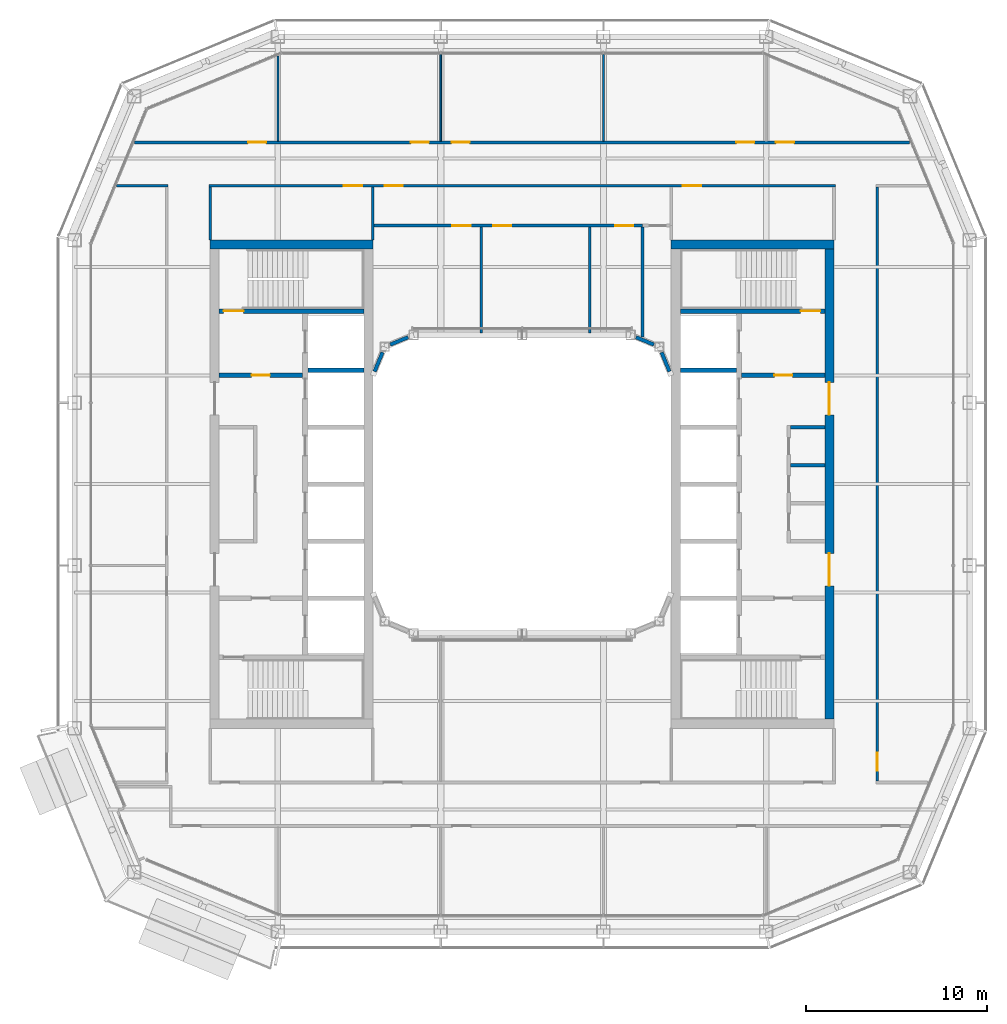
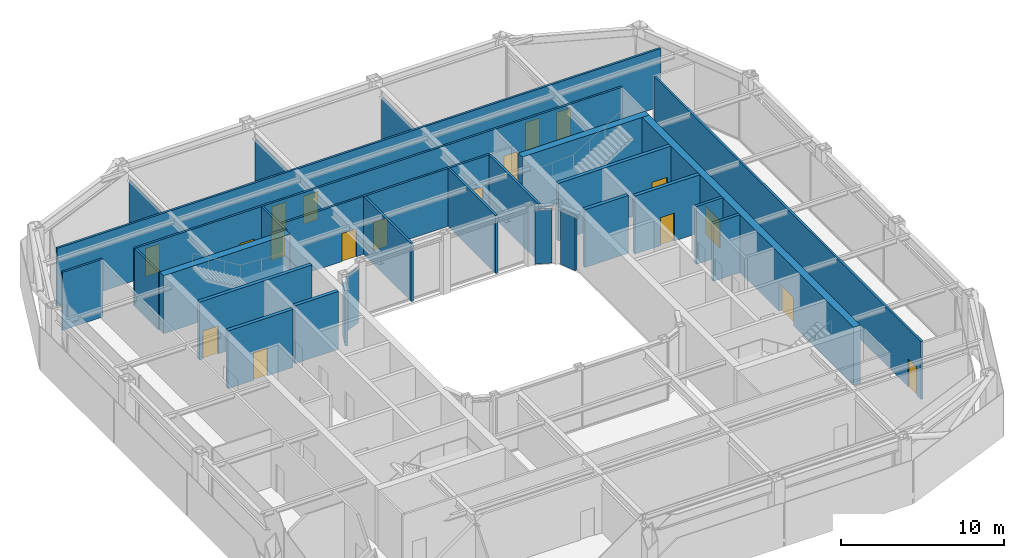
# One storey, part 12 of 20: 28 walls, 18 doors, 18 openings.
"""IFC4 building model written with IfcOpenShell, lengths in metres."""

from ifc_helpers import new_model, si_unit, direction, frame, frame_2d, origin, place, context, subcontext, project, spatial, rectangle, extrude, material, layer, layer_set, type_object, element, fill, save


model = new_model("IFC4")

# Units and contexts
model_context = context("Model", 3, precision=1e-05, world=origin(), true_north=direction((0.0, 1.0)))
body_context = subcontext(model_context, "Body", "Model", "MODEL_VIEW")
ifc_project = project(units=[si_unit("LENGTHUNIT", "METRE"), si_unit("AREAUNIT", "SQUARE_METRE"), si_unit("VOLUMEUNIT", "CUBIC_METRE"), si_unit("PLANEANGLEUNIT", "RADIAN"), si_unit("MASSUNIT", "GRAM", prefix="KILO")], contexts=[model_context])

# Site, building, storey
site_placement = place(None, origin())
site = spatial("IfcSite", under=ifc_project, at=site_placement, CompositionType="ELEMENT")
building_placement = place(site_placement, origin())
building = spatial("IfcBuilding", under=site, at=building_placement, Name="Siwar Civic Tower", CompositionType="ELEMENT")
storey_placement = place(building_placement, frame((0.0, 0.0, 316.699951171875)))
storey = spatial("IfcBuildingStorey", under=building, at=storey_placement, Name="L68", CompositionType="ELEMENT", Elevation=316.699951171875)

# Walls
ifc_material_1 = material(Name="Gypsum board on steel studs", Category="steel")
ifc_layer_1 = layer(ifc_material_1, 0.14990234375)
ifc_layer_set_1 = layer_set([ifc_layer_1], Name="Gypsum board on steel studs")
wall_type_1 = type_object("IfcWallType", Name="COMPARTMENT PARTITION 150 EI 60", PredefinedType="PARTITIONING", material=ifc_layer_set_1)
wall_1_placement = place(storey_placement, frame((6.659912109375, 8.126953125, 0.0), z_axis=(0.0, 0.0, 1.0), x_axis=(0.0, 1.0, 0.0)))
element("IfcWall", 1, at=wall_1_placement, inside=storey, type_object=wall_type_1, Name="L68/wall/P29", PredefinedType="PARTITIONING", context=body_context, shape_type="SweptSolid", body=[
    extrude(rectangle(XDim=6.09814453125, YDim=0.14990234375, at=frame_2d((3.049072265625, 0.0))), origin(), (0.0, 0.0, 1.0), 4.35009765625),
])
ifc_material_2 = material(Name="Gypsum board on steel studs", Category="steel")
ifc_layer_2 = layer(ifc_material_2, 0.199951171875)
ifc_layer_set_2 = layer_set([ifc_layer_2], Name="Gypsum board on steel studs")
wall_type_2 = type_object("IfcWallType", Name="CORE-PARTITION-200", PredefinedType="PARTITIONING", material=ifc_layer_set_2)
for number, where, z_axis, x_axis, name in (
    (2, (14.85009765625, 3.14990234375, 0.0), (0.0, 0.0, 1.0), (1.0, 0.0, 0.0), "Core partition E"),
    (3, (14.85009765625, 1.050048828125, 0.0), (0.0, 0.0, 1.0), (1.0, 0.0, 0.0), "Core partition E"),
):
    element("IfcWall", number, at=place(storey_placement, frame(where, z_axis=z_axis, x_axis=x_axis)), inside=storey, type_object=wall_type_2, Name=name, PredefinedType="PARTITIONING", context=body_context, shape_type="SweptSolid", body=[
        extrude(rectangle(XDim=1.89990234375, YDim=0.199951171875, at=frame_2d((0.949951171875, 0.0))), origin(), (0.0, 0.0, 1.0), 4.35009765625),
    ])

# Wall, opening, door
ifc_material_3 = material(Name="Concrete C60/75", Category="concrete")
ifc_layer_3 = layer(ifc_material_3, 0.25)
ifc_layer_set_3 = layer_set([ifc_layer_3], Name="Concrete C60/75")
wall_type_3 = type_object("IfcWallType", Name="CORE-WALL-RC250", PredefinedType="SHEAR", material=ifc_layer_set_3)
wall_2_placement = place(storey_placement, frame((-12.14990234375, 6.02490234375, 0.0), z_axis=(0.0, 0.0, 1.0), x_axis=(-1.0, 0.0, 0.0)))
wall_2 = element("IfcWall", 4, at=wall_2_placement, inside=storey, type_object=wall_type_3, Name="Core wall W", PredefinedType="SHEAR", context=body_context, shape_type="SweptSolid", body=[
    extrude(rectangle(XDim=4.60009765625, YDim=0.25, at=frame_2d((2.300048828125, 0.0))), origin(), (0.0, 0.0, 1.0), 4.35009765625),
])
opening_1_placement = place(wall_2_placement, frame((1.800048828125, 0.0, 0.0)))
opening_1 = element("IfcOpeningElement", 5, at=opening_1_placement, cuts=wall_2, Name="Opening L68-CW01", PredefinedType="OPENING", context=body_context, shape_type="SweptSolid", body=[
    extrude(rectangle(XDim=1.0, YDim=2.10009765625, at=frame_2d((0.5, 1.050048828125))), frame((0.0, 0.135009765625, 0.0), z_axis=(0.0, -1.0, 0.0), x_axis=(1.0, 0.0, 0.0)), (0.0, 0.0, 1.0), 0.27001953125),
])
ifc_material_4 = material(Name="Steel door leaf", Category="steel")
door_type_1 = type_object("IfcDoorType", Name="CORE-DOOR-FD30S", OperationType="SINGLE_SWING_LEFT", PredefinedType="DOOR", material=ifc_material_4)
door_1_placement = place(opening_1_placement, origin())
door_1 = element("IfcDoor", 6, at=door_1_placement, inside=storey, type_object=door_type_1, Name="Firefighting lobby door L68-CW01", OperationType="SINGLE_SWING_LEFT", OverallHeight=2.10009765625, OverallWidth=1.0, PredefinedType="DOOR", context=body_context, shape_type="SweptSolid", body=[
    extrude(rectangle(XDim=1.0, YDim=2.10009765625, at=frame_2d((0.5, 1.050048828125))), frame((0.0, 0.02490234375, 0.0), z_axis=(0.0, -1.0, 0.0), x_axis=(1.0, 0.0, 0.0)), (0.0, 0.0, 1.0), 0.050048828125),
])
fill(opening_1, door_1)

# Wall
wall_3_placement = place(storey_placement, frame((-8.75, 6.300048828125, 0.0), z_axis=(0.0, 0.0, 1.0), x_axis=(-1.0, 0.0, 0.0)))
element("IfcWall", 7, at=wall_3_placement, inside=storey, type_object=wall_type_3, Name="Core wall W", PredefinedType="SHEAR", context=body_context, shape_type="SweptSolid", body=[
    extrude(rectangle(XDim=3.10009765625, YDim=0.25, at=frame_2d((1.550048828125, 0.0))), origin(), (0.0, 0.0, 1.0), 4.35009765625),
])

# Wall, opening, door
wall_4_placement = place(storey_placement, frame((-8.75, 9.574951171875, 0.0), z_axis=(0.0, 0.0, 1.0), x_axis=(-1.0, 0.0, 0.0)))
wall_4 = element("IfcWall", 8, at=wall_4_placement, inside=storey, type_object=wall_type_3, Name="Core wall W", PredefinedType="SHEAR", context=body_context, shape_type="SweptSolid", body=[
    extrude(rectangle(XDim=8.0, YDim=0.25, at=frame_2d((4.0, 0.0))), origin(), (0.0, 0.0, 1.0), 4.35009765625),
])
opening_2_placement = place(wall_4_placement, frame((6.64990234375, 0.0, 0.0)))
opening_2 = element("IfcOpeningElement", 9, at=opening_2_placement, cuts=wall_4, Name="Opening L68-CW03", PredefinedType="OPENING", context=body_context, shape_type="SweptSolid", body=[
    extrude(rectangle(XDim=1.10009765625, YDim=2.10009765625, at=frame_2d((0.550048828125, 1.050048828125))), frame((0.0, 0.135009765625, 0.0), z_axis=(0.0, -1.0, 0.0), x_axis=(1.0, 0.0, 0.0)), (0.0, 0.0, 1.0), 0.27001953125),
])
ifc_material_5 = material(Name="Steel door leaf", Category="steel")
door_type_2 = type_object("IfcDoorType", Name="CORE-DOOR-FD60S", OperationType="SINGLE_SWING_LEFT", PredefinedType="DOOR", material=ifc_material_5)
door_2_placement = place(opening_2_placement, origin())
door_2 = element("IfcDoor", 10, at=door_2_placement, inside=storey, type_object=door_type_2, Name="Stair door L68-CW03", OperationType="SINGLE_SWING_RIGHT", OverallHeight=2.10009765625, OverallWidth=1.10009765625, PredefinedType="DOOR", context=body_context, shape_type="SweptSolid", body=[
    extrude(rectangle(XDim=1.10009765625, YDim=2.10009765625, at=frame_2d((0.550048828125, 1.050048828125))), frame((0.0, 0.02490234375, 0.0), z_axis=(0.0, -1.0, 0.0), x_axis=(1.0, 0.0, 0.0)), (0.0, 0.0, 1.0), 0.050048828125),
])
fill(opening_2, door_2)

wall_5_placement = place(storey_placement, frame((12.14990234375, 6.02490234375, 0.0), z_axis=(0.0, 0.0, 1.0), x_axis=(1.0, 0.0, 0.0)))
wall_5 = element("IfcWall", 11, at=wall_5_placement, inside=storey, type_object=wall_type_3, Name="Core wall E", PredefinedType="SHEAR", context=body_context, shape_type="SweptSolid", body=[
    extrude(rectangle(XDim=4.60009765625, YDim=0.25, at=frame_2d((2.300048828125, 0.0))), origin(), (0.0, 0.0, 1.0), 4.35009765625),
])
opening_3_placement = place(wall_5_placement, frame((1.800048828125, 0.0, 0.0)))
opening_3 = element("IfcOpeningElement", 12, at=opening_3_placement, cuts=wall_5, Name="Opening L68-CE01", PredefinedType="OPENING", context=body_context, shape_type="SweptSolid", body=[
    extrude(rectangle(XDim=1.0, YDim=2.10009765625, at=frame_2d((0.5, 1.050048828125))), frame((0.0, 0.135009765625, 0.0), z_axis=(0.0, -1.0, 0.0), x_axis=(1.0, 0.0, 0.0)), (0.0, 0.0, 1.0), 0.27001953125),
])
door_3_placement = place(opening_3_placement, origin())
door_3 = element("IfcDoor", 13, at=door_3_placement, inside=storey, type_object=door_type_1, Name="Firefighting lobby door L68-CE01", OperationType="SINGLE_SWING_RIGHT", OverallHeight=2.10009765625, OverallWidth=1.0, PredefinedType="DOOR", context=body_context, shape_type="SweptSolid", body=[
    extrude(rectangle(XDim=1.0, YDim=2.10009765625, at=frame_2d((0.5, 1.050048828125))), frame((0.0, 0.02490234375, 0.0), z_axis=(0.0, -1.0, 0.0), x_axis=(1.0, 0.0, 0.0)), (0.0, 0.0, 1.0), 0.050048828125),
])
fill(opening_3, door_3)

# Wall
wall_6_placement = place(storey_placement, frame((8.75, 6.300048828125, 0.0), z_axis=(0.0, 0.0, 1.0), x_axis=(1.0, 0.0, 0.0)))
element("IfcWall", 14, at=wall_6_placement, inside=storey, type_object=wall_type_3, Name="Core wall E", PredefinedType="SHEAR", context=body_context, shape_type="SweptSolid", body=[
    extrude(rectangle(XDim=3.10009765625, YDim=0.25, at=frame_2d((1.550048828125, 0.0))), origin(), (0.0, 0.0, 1.0), 4.35009765625),
])

# Wall, opening, door
wall_7_placement = place(storey_placement, frame((8.75, 9.574951171875, 0.0), z_axis=(0.0, 0.0, 1.0), x_axis=(1.0, 0.0, 0.0)))
wall_7 = element("IfcWall", 15, at=wall_7_placement, inside=storey, type_object=wall_type_3, Name="Core wall E", PredefinedType="SHEAR", context=body_context, shape_type="SweptSolid", body=[
    extrude(rectangle(XDim=8.0, YDim=0.25, at=frame_2d((4.0, 0.0))), origin(), (0.0, 0.0, 1.0), 4.35009765625),
])
opening_4_placement = place(wall_7_placement, frame((6.64990234375, 0.0, 0.0)))
opening_4 = element("IfcOpeningElement", 16, at=opening_4_placement, cuts=wall_7, Name="Opening L68-CE03", PredefinedType="OPENING", context=body_context, shape_type="SweptSolid", body=[
    extrude(rectangle(XDim=1.10009765625, YDim=2.10009765625, at=frame_2d((0.550048828125, 1.050048828125))), frame((0.0, 0.135009765625, 0.0), z_axis=(0.0, -1.0, 0.0), x_axis=(1.0, 0.0, 0.0)), (0.0, 0.0, 1.0), 0.27001953125),
])
door_4_placement = place(opening_4_placement, origin())
door_4 = element("IfcDoor", 17, at=door_4_placement, inside=storey, type_object=door_type_2, Name="Stair door L68-CE03", OperationType="SINGLE_SWING_LEFT", OverallHeight=2.10009765625, OverallWidth=1.10009765625, PredefinedType="DOOR", context=body_context, shape_type="SweptSolid", body=[
    extrude(rectangle(XDim=1.10009765625, YDim=2.10009765625, at=frame_2d((0.550048828125, 1.050048828125))), frame((0.0, 0.02490234375, 0.0), z_axis=(0.0, -1.0, 0.0), x_axis=(1.0, 0.0, 0.0)), (0.0, 0.0, 1.0), 0.050048828125),
])
fill(opening_4, door_4)

# Wall
ifc_material_6 = material(Name="Concrete C60/75", Category="concrete")
ifc_layer_4 = layer(ifc_material_6, 0.5)
ifc_layer_set_4 = layer_set([ifc_layer_4], Name="Concrete C60/75")
wall_type_4 = type_object("IfcWallType", Name="CORE-WALL-RC500", PredefinedType="SHEAR", material=ifc_layer_set_4)
wall_8_placement = place(storey_placement, frame((-8.25, 13.25, 0.0), z_axis=(0.0, 0.0, 1.0), x_axis=(-1.0, 0.0, 0.0)))
element("IfcWall", 18, at=wall_8_placement, inside=storey, type_object=wall_type_4, Name="Core wall W", PredefinedType="SHEAR", context=body_context, shape_type="SweptSolid", body=[
    extrude(rectangle(XDim=9.0, YDim=0.5, at=frame_2d((4.5, 0.0))), origin(), (0.0, 0.0, 1.0), 4.35009765625),
])

# Wall, openings, doors
wall_9_placement = place(storey_placement, frame((17.0, -13.0, 0.0), z_axis=(0.0, 0.0, 1.0), x_axis=(0.0, 1.0, 0.0)))
wall_9 = element("IfcWall", 19, at=wall_9_placement, inside=storey, type_object=wall_type_4, Name="Core wall E", PredefinedType="SHEAR", context=body_context, shape_type="SweptSolid", body=[
    extrude(rectangle(XDim=26.0, YDim=0.5, at=frame_2d((13.0, 0.0))), origin(), (0.0, 0.0, 1.0), 4.35009765625),
])
opening_5_placement = place(wall_9_placement, frame((16.824951171875, 0.0, 0.0)))
opening_5 = element("IfcOpeningElement", 20, at=opening_5_placement, cuts=wall_9, Name="Opening L68-CE05", PredefinedType="OPENING", context=body_context, shape_type="SweptSolid", body=[
    extrude(rectangle(XDim=1.800048828125, YDim=2.10009765625, at=frame_2d((0.89990234375, 1.050048828125))), frame((0.0, 0.260009765625, 0.0), z_axis=(0.0, -1.0, 0.0), x_axis=(1.0, 0.0, 0.0)), (0.0, 0.0, 1.0), 0.52001953125),
])
opening_6_placement = place(wall_9_placement, frame((7.375, 0.0, 0.0)))
opening_6 = element("IfcOpeningElement", 21, at=opening_6_placement, cuts=wall_9, Name="Opening L68-CE06", PredefinedType="OPENING", context=body_context, shape_type="SweptSolid", body=[
    extrude(rectangle(XDim=1.800048828125, YDim=2.10009765625, at=frame_2d((0.89990234375, 1.050048828125))), frame((0.0, 0.260009765625, 0.0), z_axis=(0.0, -1.0, 0.0), x_axis=(1.0, 0.0, 0.0)), (0.0, 0.0, 1.0), 0.52001953125),
])
ifc_material_7 = material(Name="Steel door leaf", Category="steel")
door_type_3 = type_object("IfcDoorType", Name="CORE-DOOR-PORT", OperationType="DOUBLE_DOOR_DOUBLE_SWING", PredefinedType="DOOR", material=ifc_material_7)
door_5_placement = place(opening_5_placement, origin())
door_5 = element("IfcDoor", 22, at=door_5_placement, inside=storey, type_object=door_type_3, Name="Core entrance door L68-CE05", OperationType="DOUBLE_DOOR_DOUBLE_SWING", OverallHeight=2.10009765625, OverallWidth=1.800048828125, PredefinedType="DOOR", context=body_context, shape_type="SweptSolid", body=[
    extrude(rectangle(XDim=1.800048828125, YDim=2.10009765625, at=frame_2d((0.89990234375, 1.050048828125))), frame((0.0, 0.02490234375, 0.0), z_axis=(0.0, -1.0, 0.0), x_axis=(1.0, 0.0, 0.0)), (0.0, 0.0, 1.0), 0.050048828125),
])
fill(opening_5, door_5)
door_6_placement = place(opening_6_placement, origin())
door_6 = element("IfcDoor", 23, at=door_6_placement, inside=storey, type_object=door_type_3, Name="Core entrance door L68-CE06", OperationType="DOUBLE_DOOR_DOUBLE_SWING", OverallHeight=2.10009765625, OverallWidth=1.800048828125, PredefinedType="DOOR", context=body_context, shape_type="SweptSolid", body=[
    extrude(rectangle(XDim=1.800048828125, YDim=2.10009765625, at=frame_2d((0.89990234375, 1.050048828125))), frame((0.0, 0.02490234375, 0.0), z_axis=(0.0, -1.0, 0.0), x_axis=(1.0, 0.0, 0.0)), (0.0, 0.0, 1.0), 0.050048828125),
])
fill(opening_6, door_6)

# Wall
wall_10_placement = place(storey_placement, frame((8.25, 13.25, 0.0), z_axis=(0.0, 0.0, 1.0), x_axis=(1.0, 0.0, 0.0)))
element("IfcWall", 24, at=wall_10_placement, inside=storey, type_object=wall_type_4, Name="Core wall E", PredefinedType="SHEAR", context=body_context, shape_type="SweptSolid", body=[
    extrude(rectangle(XDim=9.0, YDim=0.5, at=frame_2d((4.5, 0.0))), origin(), (0.0, 0.0, 1.0), 4.35009765625),
])

# Wall, openings, doors
ifc_material_8 = material(Name="Gypsum board on steel studs", Category="steel")
ifc_layer_5 = layer(ifc_material_8, 0.14990234375)
ifc_layer_set_5 = layer_set([ifc_layer_5], Name="Gypsum board on steel studs")
wall_type_5 = type_object("IfcWallType", Name="CORRIDOR PARTITION 150 EI 30", PredefinedType="PARTITIONING", material=ifc_layer_set_5)
wall_11_placement = place(storey_placement, frame((-8.175048828125, 14.300048828125, 0.0), z_axis=(0.0, 0.0, 1.0), x_axis=(1.0, 0.0, 0.0)))
wall_11 = element("IfcWall", 25, at=wall_11_placement, inside=storey, type_object=wall_type_5, Name="L68/wall/P08", PredefinedType="PARTITIONING", context=body_context, shape_type="SweptSolid", body=[
    extrude(rectangle(XDim=14.8349609375, YDim=0.14990234375, at=frame_2d((7.41748046875, 0.0))), origin(), (0.0, 0.0, 1.0), 4.35009765625),
])
opening_7_placement = place(wall_11_placement, frame((4.324951171875, 0.0, 0.0)))
opening_7 = element("IfcOpeningElement", 26, at=opening_7_placement, cuts=wall_11, Name="Opening D3", PredefinedType="OPENING", context=body_context, shape_type="SweptSolid", body=[
    extrude(rectangle(XDim=1.0, YDim=2.10009765625, at=frame_2d((0.5, 1.050048828125))), frame((0.0, 0.0849609375, 0.0), z_axis=(0.0, -1.0, 0.0), x_axis=(1.0, 0.0, 0.0)), (0.0, 0.0, 1.0), 0.169921875),
])
opening_8_placement = place(wall_11_placement, frame((6.574951171875, 0.0, 0.0)))
opening_8 = element("IfcOpeningElement", 27, at=opening_8_placement, cuts=wall_11, Name="Opening D3", PredefinedType="OPENING", context=body_context, shape_type="SweptSolid", body=[
    extrude(rectangle(XDim=1.0, YDim=2.10009765625, at=frame_2d((0.5, 1.050048828125))), frame((0.0, 0.0849609375, 0.0), z_axis=(0.0, -1.0, 0.0), x_axis=(1.0, 0.0, 0.0)), (0.0, 0.0, 1.0), 0.169921875),
])
opening_9_placement = place(wall_11_placement, frame((13.324951171875, 0.0, 0.0)))
opening_9 = element("IfcOpeningElement", 28, at=opening_9_placement, cuts=wall_11, Name="Opening D3", PredefinedType="OPENING", context=body_context, shape_type="SweptSolid", body=[
    extrude(rectangle(XDim=1.0, YDim=2.10009765625, at=frame_2d((0.5, 1.050048828125))), frame((0.0, 0.0849609375, 0.0), z_axis=(0.0, -1.0, 0.0), x_axis=(1.0, 0.0, 0.0)), (0.0, 0.0, 1.0), 0.169921875),
])
ifc_material_9 = material(Name="Timber, painted", Category="wood")
door_type_4 = type_object("IfcDoorType", Name="DOOR 1000 X 2100 WC", OperationType="SINGLE_SWING_LEFT", PredefinedType="DOOR", material=ifc_material_9)
door_7_placement = place(opening_7_placement, origin())
door_7 = element("IfcDoor", 29, at=door_7_placement, inside=storey, type_object=door_type_4, Name="L68-D12", OperationType="SINGLE_SWING_RIGHT", OverallHeight=2.10009765625, OverallWidth=1.0, PredefinedType="DOOR", context=body_context, shape_type="SweptSolid", body=[
    extrude(rectangle(XDim=1.0, YDim=2.10009765625, at=frame_2d((0.5, 1.050048828125))), frame((0.0, 0.02490234375, 0.0), z_axis=(0.0, -1.0, 0.0), x_axis=(1.0, 0.0, 0.0)), (0.0, 0.0, 1.0), 0.050048828125),
])
fill(opening_7, door_7)
door_8_placement = place(opening_8_placement, origin())
door_8 = element("IfcDoor", 30, at=door_8_placement, inside=storey, type_object=door_type_4, Name="L68-D13", OperationType="SINGLE_SWING_LEFT", OverallHeight=2.10009765625, OverallWidth=1.0, PredefinedType="DOOR", context=body_context, shape_type="SweptSolid", body=[
    extrude(rectangle(XDim=1.0, YDim=2.10009765625, at=frame_2d((0.5, 1.050048828125))), frame((0.0, 0.02490234375, 0.0), z_axis=(0.0, -1.0, 0.0), x_axis=(1.0, 0.0, 0.0)), (0.0, 0.0, 1.0), 0.050048828125),
])
fill(opening_8, door_8)
door_9_placement = place(opening_9_placement, origin())
door_9 = element("IfcDoor", 31, at=door_9_placement, inside=storey, type_object=door_type_4, Name="L68-D14", OperationType="SINGLE_SWING_RIGHT", OverallHeight=2.10009765625, OverallWidth=1.0, PredefinedType="DOOR", context=body_context, shape_type="SweptSolid", body=[
    extrude(rectangle(XDim=1.0, YDim=2.10009765625, at=frame_2d((0.5, 1.050048828125))), frame((0.0, 0.02490234375, 0.0), z_axis=(0.0, -1.0, 0.0), x_axis=(1.0, 0.0, 0.0)), (0.0, 0.0, 1.0), 0.050048828125),
])
fill(opening_9, door_9)

# Wall
wall_12_placement = place(storey_placement, frame((-22.43603515625, 16.5, 0.0), z_axis=(0.0, 0.0, 1.0), x_axis=(1.0, 0.0, 0.0)))
element("IfcWall", 32, at=wall_12_placement, inside=storey, type_object=wall_type_5, Name="L68/wall/P10", PredefinedType="PARTITIONING", context=body_context, shape_type="SweptSolid", body=[
    extrude(rectangle(XDim=2.85498046875, YDim=0.14990234375, at=frame_2d((1.427490234375, 0.0))), origin(), (0.0, 0.0, 1.0), 4.35009765625),
])

# Wall, openings, doors
wall_13_placement = place(storey_placement, frame((-17.324951171875, 16.5, 0.0), z_axis=(0.0, 0.0, 1.0), x_axis=(1.0, 0.0, 0.0)))
wall_13 = element("IfcWall", 33, at=wall_13_placement, inside=storey, type_object=wall_type_5, Name="L68/wall/P11", PredefinedType="PARTITIONING", context=body_context, shape_type="SweptSolid", body=[
    extrude(rectangle(XDim=34.64990234375, YDim=0.14990234375, at=frame_2d((17.324951171875, 0.0))), origin(), (0.0, 0.0, 1.0), 4.35009765625),
])
opening_10_placement = place(wall_13_placement, frame((9.72509765625, 0.0, 0.0)))
opening_10 = element("IfcOpeningElement", 34, at=opening_10_placement, cuts=wall_13, Name="Opening D1", PredefinedType="OPENING", context=body_context, shape_type="SweptSolid", body=[
    extrude(rectangle(XDim=1.0, YDim=2.10009765625, at=frame_2d((0.5, 1.050048828125))), frame((0.0, 0.0849609375, 0.0), z_axis=(0.0, -1.0, 0.0), x_axis=(1.0, 0.0, 0.0)), (0.0, 0.0, 1.0), 0.169921875),
])
opening_11_placement = place(wall_13_placement, frame((7.47509765625, 0.0, 0.0)))
opening_11 = element("IfcOpeningElement", 35, at=opening_11_placement, cuts=wall_13, Name="Opening D1", PredefinedType="OPENING", context=body_context, shape_type="SweptSolid", body=[
    extrude(rectangle(XDim=1.0, YDim=2.10009765625, at=frame_2d((0.5, 1.050048828125))), frame((0.0, 0.0849609375, 0.0), z_axis=(0.0, -1.0, 0.0), x_axis=(1.0, 0.0, 0.0)), (0.0, 0.0, 1.0), 0.169921875),
])
opening_12_placement = place(wall_13_placement, frame((26.22509765625, 0.0, 0.0)))
opening_12 = element("IfcOpeningElement", 36, at=opening_12_placement, cuts=wall_13, Name="Opening D1", PredefinedType="OPENING", context=body_context, shape_type="SweptSolid", body=[
    extrude(rectangle(XDim=1.0, YDim=2.10009765625, at=frame_2d((0.5, 1.050048828125))), frame((0.0, 0.0849609375, 0.0), z_axis=(0.0, -1.0, 0.0), x_axis=(1.0, 0.0, 0.0)), (0.0, 0.0, 1.0), 0.169921875),
])
ifc_material_10 = material(Name="Timber, painted", Category="wood")
door_type_5 = type_object("IfcDoorType", Name="DOOR 1000 X 2100 FD30", OperationType="SINGLE_SWING_LEFT", PredefinedType="DOOR", material=ifc_material_10)
door_10_placement = place(opening_10_placement, origin())
door_10 = element("IfcDoor", 37, at=door_10_placement, inside=storey, type_object=door_type_5, Name="L68-D11", OperationType="SINGLE_SWING_LEFT", OverallHeight=2.10009765625, OverallWidth=1.0, PredefinedType="DOOR", context=body_context, shape_type="SweptSolid", body=[
    extrude(rectangle(XDim=1.0, YDim=2.10009765625, at=frame_2d((0.5, 1.050048828125))), frame((0.0, 0.02490234375, 0.0), z_axis=(0.0, -1.0, 0.0), x_axis=(1.0, 0.0, 0.0)), (0.0, 0.0, 1.0), 0.050048828125),
])
fill(opening_10, door_10)
door_11_placement = place(opening_11_placement, origin())
door_11 = element("IfcDoor", 38, at=door_11_placement, inside=storey, type_object=door_type_5, Name="L68-D18", OperationType="SINGLE_SWING_RIGHT", OverallHeight=2.10009765625, OverallWidth=1.0, PredefinedType="DOOR", context=body_context, shape_type="SweptSolid", body=[
    extrude(rectangle(XDim=1.0, YDim=2.10009765625, at=frame_2d((0.5, 1.050048828125))), frame((0.0, 0.02490234375, 0.0), z_axis=(0.0, -1.0, 0.0), x_axis=(1.0, 0.0, 0.0)), (0.0, 0.0, 1.0), 0.050048828125),
])
fill(opening_11, door_11)
door_12_placement = place(opening_12_placement, origin())
door_12 = element("IfcDoor", 39, at=door_12_placement, inside=storey, type_object=door_type_5, Name="L68-D19", OperationType="SINGLE_SWING_LEFT", OverallHeight=2.10009765625, OverallWidth=1.0, PredefinedType="DOOR", context=body_context, shape_type="SweptSolid", body=[
    extrude(rectangle(XDim=1.0, YDim=2.10009765625, at=frame_2d((0.5, 1.050048828125))), frame((0.0, 0.02490234375, 0.0), z_axis=(0.0, -1.0, 0.0), x_axis=(1.0, 0.0, 0.0)), (0.0, 0.0, 1.0), 0.050048828125),
])
fill(opening_12, door_12)

wall_14_placement = place(storey_placement, frame((-21.44091796875, 18.89990234375, 0.0), z_axis=(0.0, 0.0, 1.0), x_axis=(1.0, 0.0, 0.0)))
wall_14 = element("IfcWall", 40, at=wall_14_placement, inside=storey, type_object=wall_type_5, Name="L68/wall/P13", PredefinedType="PARTITIONING", context=body_context, shape_type="SweptSolid", body=[
    extrude(rectangle(XDim=42.8818359375, YDim=0.14990234375, at=frame_2d((21.44091796875, 0.0))), origin(), (0.0, 0.0, 1.0), 4.35009765625),
])
opening_13_placement = place(wall_14_placement, frame((15.291015625, 0.0, 0.0)))
opening_13 = element("IfcOpeningElement", 41, at=opening_13_placement, cuts=wall_14, Name="Opening D1", PredefinedType="OPENING", context=body_context, shape_type="SweptSolid", body=[
    extrude(rectangle(XDim=1.0, YDim=2.10009765625, at=frame_2d((0.5, 1.050048828125))), frame((0.0, 0.0849609375, 0.0), z_axis=(0.0, -1.0, 0.0), x_axis=(1.0, 0.0, 0.0)), (0.0, 0.0, 1.0), 0.169921875),
])
opening_14_placement = place(wall_14_placement, frame((17.541015625, 0.0, 0.0)))
opening_14 = element("IfcOpeningElement", 42, at=opening_14_placement, cuts=wall_14, Name="Opening D1", PredefinedType="OPENING", context=body_context, shape_type="SweptSolid", body=[
    extrude(rectangle(XDim=1.0, YDim=2.10009765625, at=frame_2d((0.5, 1.050048828125))), frame((0.0, 0.0849609375, 0.0), z_axis=(0.0, -1.0, 0.0), x_axis=(1.0, 0.0, 0.0)), (0.0, 0.0, 1.0), 0.169921875),
])
opening_15_placement = place(wall_14_placement, frame((33.291015625, 0.0, 0.0)))
opening_15 = element("IfcOpeningElement", 43, at=opening_15_placement, cuts=wall_14, Name="Opening D1", PredefinedType="OPENING", context=body_context, shape_type="SweptSolid", body=[
    extrude(rectangle(XDim=1.0, YDim=2.10009765625, at=frame_2d((0.5, 1.050048828125))), frame((0.0, 0.0849609375, 0.0), z_axis=(0.0, -1.0, 0.0), x_axis=(1.0, 0.0, 0.0)), (0.0, 0.0, 1.0), 0.169921875),
])
opening_16_placement = place(wall_14_placement, frame((6.291015625, 0.0, 0.0)))
opening_16 = element("IfcOpeningElement", 44, at=opening_16_placement, cuts=wall_14, Name="Opening D1", PredefinedType="OPENING", context=body_context, shape_type="SweptSolid", body=[
    extrude(rectangle(XDim=1.0, YDim=2.10009765625, at=frame_2d((0.5, 1.050048828125))), frame((0.0, 0.0849609375, 0.0), z_axis=(0.0, -1.0, 0.0), x_axis=(1.0, 0.0, 0.0)), (0.0, 0.0, 1.0), 0.169921875),
])
opening_17_placement = place(wall_14_placement, frame((35.48193359375, 0.0, 0.0)))
opening_17 = element("IfcOpeningElement", 45, at=opening_17_placement, cuts=wall_14, Name="Opening D1", PredefinedType="OPENING", context=body_context, shape_type="SweptSolid", body=[
    extrude(rectangle(XDim=1.0, YDim=2.10009765625, at=frame_2d((0.5, 1.050048828125))), frame((0.0, 0.0849609375, 0.0), z_axis=(0.0, -1.0, 0.0), x_axis=(1.0, 0.0, 0.0)), (0.0, 0.0, 1.0), 0.169921875),
])
door_13_placement = place(opening_13_placement, origin())
door_13 = element("IfcDoor", 46, at=door_13_placement, inside=storey, type_object=door_type_5, Name="L68-D01", OperationType="SINGLE_SWING_LEFT", OverallHeight=2.10009765625, OverallWidth=1.0, PredefinedType="DOOR", context=body_context, shape_type="SweptSolid", body=[
    extrude(rectangle(XDim=1.0, YDim=2.10009765625, at=frame_2d((0.5, 1.050048828125))), frame((0.0, 0.02490234375, 0.0), z_axis=(0.0, -1.0, 0.0), x_axis=(1.0, 0.0, 0.0)), (0.0, 0.0, 1.0), 0.050048828125),
])
fill(opening_13, door_13)
door_14_placement = place(opening_14_placement, origin())
door_14 = element("IfcDoor", 47, at=door_14_placement, inside=storey, type_object=door_type_5, Name="L68-D02", OperationType="SINGLE_SWING_RIGHT", OverallHeight=2.10009765625, OverallWidth=1.0, PredefinedType="DOOR", context=body_context, shape_type="SweptSolid", body=[
    extrude(rectangle(XDim=1.0, YDim=2.10009765625, at=frame_2d((0.5, 1.050048828125))), frame((0.0, 0.02490234375, 0.0), z_axis=(0.0, -1.0, 0.0), x_axis=(1.0, 0.0, 0.0)), (0.0, 0.0, 1.0), 0.050048828125),
])
fill(opening_14, door_14)
door_15_placement = place(opening_15_placement, origin())
door_15 = element("IfcDoor", 48, at=door_15_placement, inside=storey, type_object=door_type_5, Name="L68-D03", OperationType="SINGLE_SWING_LEFT", OverallHeight=2.10009765625, OverallWidth=1.0, PredefinedType="DOOR", context=body_context, shape_type="SweptSolid", body=[
    extrude(rectangle(XDim=1.0, YDim=2.10009765625, at=frame_2d((0.5, 1.050048828125))), frame((0.0, 0.02490234375, 0.0), z_axis=(0.0, -1.0, 0.0), x_axis=(1.0, 0.0, 0.0)), (0.0, 0.0, 1.0), 0.050048828125),
])
fill(opening_15, door_15)
door_16_placement = place(opening_16_placement, origin())
door_16 = element("IfcDoor", 49, at=door_16_placement, inside=storey, type_object=door_type_5, Name="L68-D07", OperationType="SINGLE_SWING_LEFT", OverallHeight=2.10009765625, OverallWidth=1.0, PredefinedType="DOOR", context=body_context, shape_type="SweptSolid", body=[
    extrude(rectangle(XDim=1.0, YDim=2.10009765625, at=frame_2d((0.5, 1.050048828125))), frame((0.0, 0.02490234375, 0.0), z_axis=(0.0, -1.0, 0.0), x_axis=(1.0, 0.0, 0.0)), (0.0, 0.0, 1.0), 0.050048828125),
])
fill(opening_16, door_16)
door_17_placement = place(opening_17_placement, origin())
door_17 = element("IfcDoor", 50, at=door_17_placement, inside=storey, type_object=door_type_5, Name="L68-D08", OperationType="SINGLE_SWING_RIGHT", OverallHeight=2.10009765625, OverallWidth=1.0, PredefinedType="DOOR", context=body_context, shape_type="SweptSolid", body=[
    extrude(rectangle(XDim=1.0, YDim=2.10009765625, at=frame_2d((0.5, 1.050048828125))), frame((0.0, 0.02490234375, 0.0), z_axis=(0.0, -1.0, 0.0), x_axis=(1.0, 0.0, 0.0)), (0.0, 0.0, 1.0), 0.050048828125),
])
fill(opening_17, door_17)

# Walls
for number, where, z_axis, x_axis, name in (
    (51, (-17.25, 13.5, 0.0), (0.0, 0.0, 1.0), (0.0, 1.0, 0.0), "L68/wall/P17"),
    (52, (-8.25, 13.5, 0.0), (0.0, 0.0, 1.0), (0.0, 1.0, 0.0), "L68/wall/P21"),
):
    element("IfcWall", number, at=place(storey_placement, frame(where, z_axis=z_axis, x_axis=x_axis)), inside=storey, type_object=wall_type_5, Name=name, PredefinedType="PARTITIONING", context=body_context, shape_type="SweptSolid", body=[
        extrude(rectangle(XDim=2.925048828125, YDim=0.14990234375, at=frame_2d((1.46240234375, 0.0))), origin(), (0.0, 0.0, 1.0), 4.35009765625),
    ])
for number, where, z_axis, x_axis, name in (
    (53, (-2.25, 8.3701171875, 0.0), (0.0, 0.0, 1.0), (0.0, 1.0, 0.0), "L68/wall/P25"),
    (54, (3.75, 8.3701171875, 0.0), (0.0, 0.0, 1.0), (0.0, 1.0, 0.0), "L68/wall/P26"),
):
    element("IfcWall", number, at=place(storey_placement, frame(where, z_axis=z_axis, x_axis=x_axis)), inside=storey, type_object=wall_type_5, Name=name, PredefinedType="PARTITIONING", context=body_context, shape_type="SweptSolid", body=[
        extrude(rectangle(XDim=5.85498046875, YDim=0.14990234375, at=frame_2d((2.927490234375, 0.0))), origin(), (0.0, 0.0, 1.0), 4.35009765625),
    ])

# Wall, opening, door
wall_15_placement = place(storey_placement, frame((19.64990234375, -16.419921875, 0.0), z_axis=(0.0, 0.0, 1.0), x_axis=(0.0, 1.0, 0.0)))
wall_15 = element("IfcWall", 55, at=wall_15_placement, inside=storey, type_object=wall_type_5, Name="L68/wall/P37", PredefinedType="PARTITIONING", context=body_context, shape_type="SweptSolid", body=[
    extrude(rectangle(XDim=32.844970703125, YDim=0.14990234375, at=frame_2d((16.42236328125, 0.0))), origin(), (0.0, 0.0, 1.0), 4.35009765625),
])
opening_18_placement = place(wall_15_placement, frame((0.574951171875, 0.0, 0.0)))
opening_18 = element("IfcOpeningElement", 56, at=opening_18_placement, cuts=wall_15, Name="Opening D1", PredefinedType="OPENING", context=body_context, shape_type="SweptSolid", body=[
    extrude(rectangle(XDim=1.0, YDim=2.10009765625, at=frame_2d((0.5, 1.050048828125))), frame((0.0, 0.0849609375, 0.0), z_axis=(0.0, -1.0, 0.0), x_axis=(1.0, 0.0, 0.0)), (0.0, 0.0, 1.0), 0.169921875),
])
door_18_placement = place(opening_18_placement, origin())
door_18 = element("IfcDoor", 57, at=door_18_placement, inside=storey, type_object=door_type_5, Name="L68-D25", OperationType="SINGLE_SWING_LEFT", OverallHeight=2.10009765625, OverallWidth=1.0, PredefinedType="DOOR", context=body_context, shape_type="SweptSolid", body=[
    extrude(rectangle(XDim=1.0, YDim=2.10009765625, at=frame_2d((0.5, 1.050048828125))), frame((0.0, 0.02490234375, 0.0), z_axis=(0.0, -1.0, 0.0), x_axis=(1.0, 0.0, 0.0)), (0.0, 0.0, 1.0), 0.050048828125),
])
fill(opening_18, door_18)

# Walls
ifc_material_11 = material(Name="Aluminium clad insulated panel", Category="aluminium")
ifc_layer_6 = layer(ifc_material_11, 0.199951171875)
ifc_layer_set_6 = layer_set([ifc_layer_6], Name="Aluminium clad insulated panel")
wall_type_6 = type_object("IfcWallType", Name="ENV-WALL-WELL", PredefinedType="STANDARD", material=ifc_layer_set_6)
wall_16_placement = place(storey_placement, frame((8.154296875, 6.23095703125, 0.0), z_axis=(0.0, 0.0, 1.0), x_axis=(-0.382571404949, 0.923925927829, 0.0)))
element("IfcWall", 58, at=wall_16_placement, inside=storey, type_object=wall_type_6, Name="Light well corner wall NE1", PredefinedType="STANDARD", context=body_context, shape_type="SweptSolid", body=[
    extrude(rectangle(XDim=1.1455078125, YDim=0.199951171875, at=frame_2d((0.57275390625, 0.0))), origin(), (0.0, 0.0, 1.0), 4.010009765625),
])
for number, where, z_axis, x_axis, name in (
    (59, (7.289306640625, 7.716064453125, 0.0), (0.0, 0.0, 1.0), (-0.923919409248, 0.382587147216, 0.0), "Light well corner wall NE2"),
    (60, (-6.3017578125, 8.125, 0.0), (0.0, 0.0, 1.0), (-0.923919409248, -0.382587147216, 0.0), "Light well corner wall NW1"),
):
    element("IfcWall", number, at=place(storey_placement, frame(where, z_axis=z_axis, x_axis=x_axis)), inside=storey, type_object=wall_type_6, Name=name, PredefinedType="STANDARD", context=body_context, shape_type="SweptSolid", body=[
        extrude(rectangle(XDim=1.06884765625, YDim=0.199951171875, at=frame_2d((0.534423828125, 0.0))), origin(), (0.0, 0.0, 1.0), 4.010009765625),
    ])
wall_17_placement = place(storey_placement, frame((-7.716064453125, 7.289306640625, 0.0), z_axis=(0.0, 0.0, 1.0), x_axis=(-0.382571404949, -0.923925927829, 0.0)))
element("IfcWall", 61, at=wall_17_placement, inside=storey, type_object=wall_type_6, Name="Light well corner wall NW2", PredefinedType="STANDARD", context=body_context, shape_type="SweptSolid", body=[
    extrude(rectangle(XDim=1.1455078125, YDim=0.199951171875, at=frame_2d((0.57275390625, 0.0))), origin(), (0.0, 0.0, 1.0), 4.010009765625),
])
ifc_material_12 = material(Name="Gypsum board on steel studs", Category="steel")
ifc_layer_7 = layer(ifc_material_12, 0.10009765625)
ifc_layer_set_7 = layer_set([ifc_layer_7], Name="Gypsum board on steel studs")
wall_type_7 = type_object("IfcWallType", Name="PARTITION 100 GYPSUM", PredefinedType="PARTITIONING", material=ifc_layer_set_7)
wall_18_placement = place(storey_placement, frame((-13.5, 18.97509765625, 0.0), z_axis=(0.0, 0.0, 1.0), x_axis=(0.0, 1.0, 0.0)))
element("IfcWall", 62, at=wall_18_placement, inside=storey, type_object=wall_type_7, Name="L68/wall/P19", PredefinedType="PARTITIONING", context=body_context, shape_type="SweptSolid", body=[
    extrude(rectangle(XDim=4.702880859375, YDim=0.10009765625, at=frame_2d((2.3515625, 0.0))), origin(), (0.0, 0.0, 1.0), 3.75),
])
for number, where, z_axis, x_axis, name in (
    (63, (-4.5, 18.97509765625, 0.0), (0.0, 0.0, 1.0), (0.0, 1.0, 0.0), "L68/wall/P24"),
    (64, (4.5, 18.97509765625, 0.0), (0.0, 0.0, 1.0), (0.0, 1.0, 0.0), "L68/wall/P28"),
):
    element("IfcWall", number, at=place(storey_placement, frame(where, z_axis=z_axis, x_axis=x_axis)), inside=storey, type_object=wall_type_7, Name=name, PredefinedType="PARTITIONING", context=body_context, shape_type="SweptSolid", body=[
        extrude(rectangle(XDim=4.784912109375, YDim=0.10009765625, at=frame_2d((2.392578125, 0.0))), origin(), (0.0, 0.0, 1.0), 3.650146484375),
    ])

save(model, "model.ifc")
